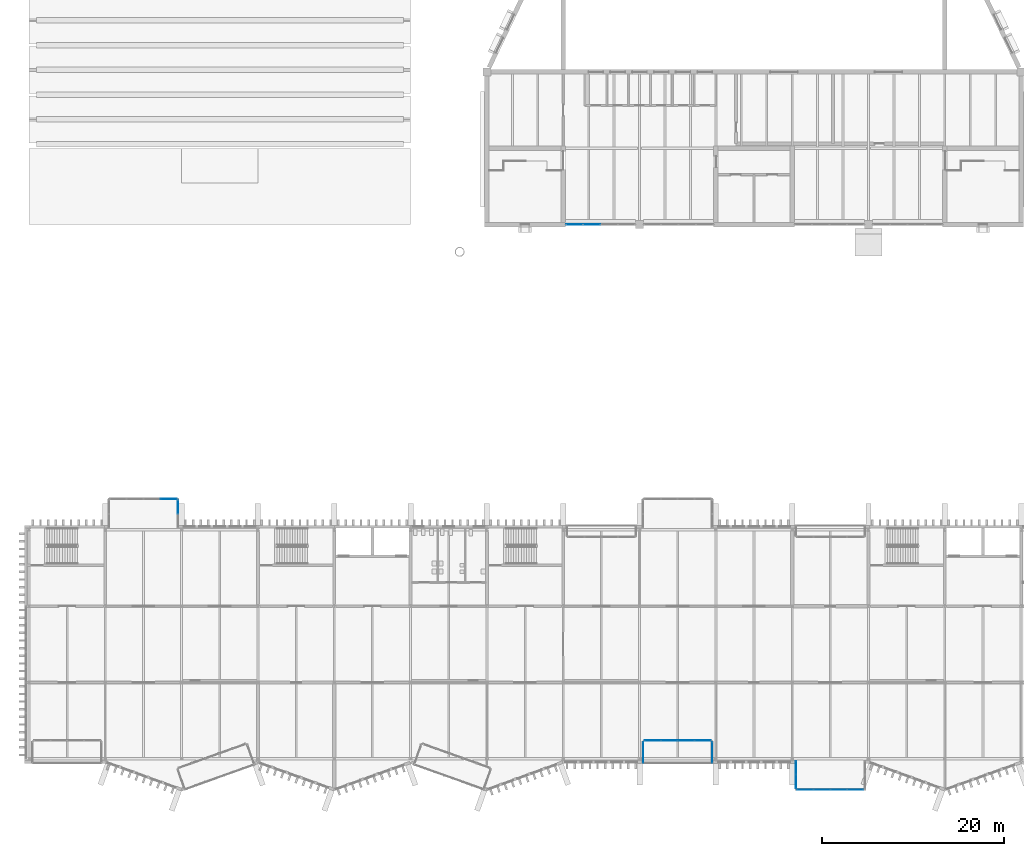
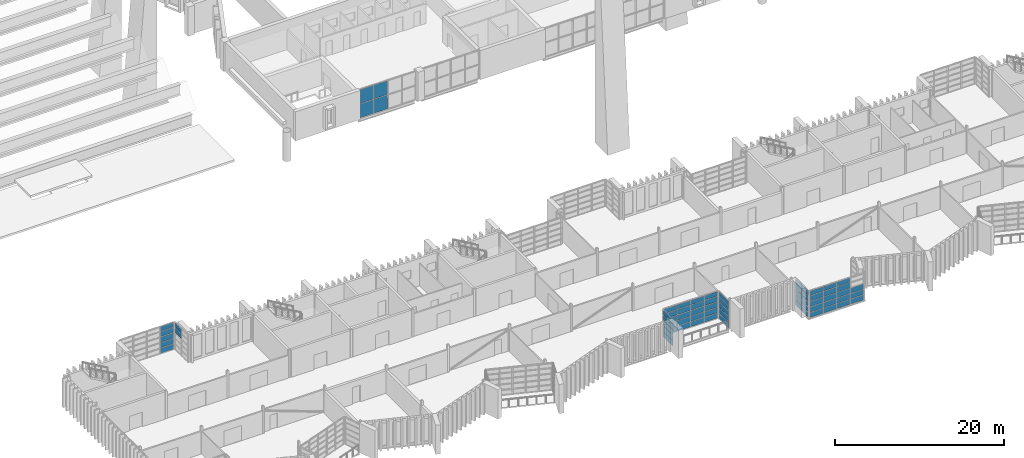
# One storey, part 44 of 88: 69 plates, 8 elements without a shape of their own.
"""IFC4 building model written with IfcOpenShell, lengths in metres."""

import ifcopenshell
import ifcopenshell.guid

model = None  # the IFC model being written
_history = None  # IfcOwnerHistory: only IFC2X3 demands one
_inside = {}  # id of a spatial element -> (the spatial element, [elements in it])
_under = {}  # id of a project, library or spatial element -> (it, [spatial elements below it])
_declared = {}  # id of a project -> (the project, [libraries it declares])
_typed = {}  # id of a type object -> (the type object, [elements of that type])
_made_of = {}  # id of a material, layer set ... -> (it, [elements and type objects made of it])


def new_model(schema):
    """Start an empty IFC model of exactly this schema.

    Asked for "IFC4X3", IfcOpenShell would pick the latest addendum, in which some entities
    have other attributes; the version numbers below select the first issue.
    IFC2X3 requires an IfcOwnerHistory on every rooted entity: one is made here for all.
    """
    global model, _history
    if schema == "IFC4X3":
        model = ifcopenshell.file(schema_version=(4, 3, 0, 0))
    else:
        model = ifcopenshell.file(schema=schema)
    _inside.clear()
    _under.clear()
    _declared.clear()
    _typed.clear()
    _made_of.clear()
    _history = None
    if model.schema == "IFC2X3":
        org = make("IfcOrganization", Name="unknown")
        user = make(
            "IfcPersonAndOrganization",
            ThePerson=make("IfcPerson", FamilyName="unknown"),
            TheOrganization=org,
        )
        app = make(
            "IfcApplication",
            ApplicationDeveloper=org,
            Version="unknown",
            ApplicationFullName="unknown",
            ApplicationIdentifier="unknown",
        )
        _history = make(
            "IfcOwnerHistory",
            OwningUser=user,
            OwningApplication=app,
            ChangeAction="ADDED",
            CreationDate=0,
        )
    return model


def make(cls, **values):
    """One entity of the class cls with the attributes given. An attribute that is None is left unset."""
    return model.create_entity(
        cls, **{name: value for name, value in values.items() if value is not None}
    )


def rooted(cls, **values):
    """An entity with a GlobalId (a new one), such as an element, a storey or a relation."""
    return make(cls, GlobalId=ifcopenshell.guid.new(), OwnerHistory=_history, **values)


def si_unit(unit_type, name, prefix=None):
    """IfcSIUnit, for example si_unit("LENGTHUNIT", "METRE", prefix="MILLI")."""
    return make("IfcSIUnit", UnitType=unit_type, Prefix=prefix, Name=name)


def assignment(units):
    """IfcUnitAssignment: the units of a project."""
    return None if units is None else make("IfcUnitAssignment", Units=units)


def point(xyz):
    """IfcCartesianPoint."""
    return None if xyz is None else make("IfcCartesianPoint", Coordinates=xyz)


def direction(xyz):
    """IfcDirection."""
    return None if xyz is None else make("IfcDirection", DirectionRatios=xyz)


def frame(location, z_axis=None, x_axis=None):
    """IfcAxis2Placement3D, a coordinate frame: its origin and axes. An axis left out is left unset."""
    return make(
        "IfcAxis2Placement3D",
        Location=point(location),
        Axis=direction(z_axis),
        RefDirection=direction(x_axis),
    )


def frame_2d(location, x_axis=None):
    """IfcAxis2Placement2D, a coordinate frame in the plane: its origin and x axis."""
    return make(
        "IfcAxis2Placement2D", Location=point(location), RefDirection=direction(x_axis)
    )


def origin():
    """The frame at (0, 0, 0) with its axes left unset."""
    return frame((0.0, 0.0, 0.0))


def origin_2d():
    """The frame at (0, 0) in the plane with its x axis left unset."""
    return frame_2d((0.0, 0.0))


def place(relative_to, where):
    """IfcLocalPlacement: puts the frame where relative to a parent placement (None: the world)."""
    return make(
        "IfcLocalPlacement", PlacementRelTo=relative_to, RelativePlacement=where
    )


def context(
    kind, dimensions, precision=None, world=None, true_north=None, identifier=None
):
    """IfcGeometricRepresentationContext, for example the 3D "Model" context."""
    return make(
        "IfcGeometricRepresentationContext",
        ContextIdentifier=identifier,
        ContextType=kind,
        CoordinateSpaceDimension=dimensions,
        Precision=precision,
        WorldCoordinateSystem=world,
        TrueNorth=true_north,
    )


def subcontext(parent, identifier, kind, view, scale=None):
    """IfcGeometricRepresentationSubContext, for example "Body" below "Model"."""
    return make(
        "IfcGeometricRepresentationSubContext",
        ContextIdentifier=identifier,
        ContextType=kind,
        ParentContext=parent,
        TargetScale=scale,
        TargetView=view,
    )


def project(units=None, contexts=None):
    """IfcProject with its units and contexts."""
    return rooted(
        "IfcProject",
        Name="project",
        RepresentationContexts=contexts,
        UnitsInContext=assignment(units),
    )


def spatial(cls, under=None, at=None, **own):
    """A site, building, storey or space (cls), placed at a placement, below another one or the project."""
    s = rooted(cls, ObjectPlacement=at, **own)
    if under is not None:
        _under.setdefault(under.id(), (under, []))[1].append(s)
    return s


def profile(cls, at=None, kind="AREA", **sizes):
    """A parametric profile (cls). Its sizes go by their IFC names, for example OverallWidth=200.0."""
    return make(cls, ProfileType=kind, Position=at, **sizes)


def rectangle(**sizes):
    """IfcRectangleProfileDef."""
    return profile("IfcRectangleProfileDef", **sizes)


def extrude(swept, where, along, depth):
    """IfcExtrudedAreaSolid: the profile swept, set in the frame where, extruded along a direction by depth."""
    return make(
        "IfcExtrudedAreaSolid",
        SweptArea=swept,
        Position=where,
        ExtrudedDirection=direction(along),
        Depth=depth,
    )


def shape(context_of_items, identifier, shape_type, items):
    """IfcShapeRepresentation: the items that make up one representation, for example the "Body"."""
    return make(
        "IfcShapeRepresentation",
        ContextOfItems=context_of_items,
        RepresentationIdentifier=identifier,
        RepresentationType=shape_type,
        Items=items,
    )


def material(Name=None, Category=None):
    """IfcMaterial."""
    return make("IfcMaterial", Name=Name, Category=Category)


def layer(
    of_material, thickness, ventilated=None, Name=None, Category=None, Priority=None
):
    """IfcMaterialLayer: one layer of a wall or slab, of a material (None: an air gap)."""
    return make(
        "IfcMaterialLayer",
        Material=of_material,
        LayerThickness=thickness,
        IsVentilated=ventilated,
        Name=Name,
        Category=Category,
        Priority=Priority,
    )


def layer_set(layers, Name=None):
    """IfcMaterialLayerSet."""
    return make("IfcMaterialLayerSet", MaterialLayers=layers, LayerSetName=Name)


def made_of(thing, what):
    """Note that an element or type object is made of a material, layer set ...; save() writes the relation."""
    if what is not None:
        _made_of.setdefault(what.id(), (what, []))[1].append(thing)
    return thing


def type_object(cls, material=None, **own):
    """A type object (cls), such as IfcWallType, which elements share."""
    return made_of(rooted(cls, **own), material)


def element(
    cls,
    number,
    at=None,
    inside=None,
    cuts=None,
    type_object=None,
    material=None,
    context=None,
    identifier="Body",
    shape_type=None,
    held_by="IfcProductDefinitionShape",
    body=None,
    shapes=None,
    **own,
):
    """One element of the class cls, such as IfcWall. Its Tag is "e" and its number.

    at: its placement. inside: the storey or other place that contains it. cuts: it is an
    opening in that element (IfcRelVoidsElement). A single representation is given by context,
    identifier, shape_type and body (its items); several are given by shapes. held_by: the class
    of the entity that holds the representations. save() writes the other relations.
    """
    e = rooted(cls, Tag="e%d" % number, ObjectPlacement=at, **own)
    if body is not None:
        shapes = [shape(context, identifier, shape_type, body)]
    if shapes is not None:
        e.Representation = make(held_by, Representations=shapes)
    if inside is not None:
        _inside.setdefault(inside.id(), (inside, []))[1].append(e)
    if cuts is not None:
        rooted(
            "IfcRelVoidsElement", RelatingBuildingElement=cuts, RelatedOpeningElement=e
        )
    if type_object is not None:
        _typed.setdefault(type_object.id(), (type_object, []))[1].append(e)
    return made_of(e, material)


def aggregate(whole, parts):
    """IfcRelAggregates: a whole, such as a stair, and the parts it consists of."""
    return rooted("IfcRelAggregates", RelatingObject=whole, RelatedObjects=parts)


def save(model, path):
    """Write the relations noted so far, then the file.

    IfcRelAggregates (storeys below a building ...), IfcRelContainedInSpatialStructure (elements
    in a storey), IfcRelDefinesByType, IfcRelAssociatesMaterial and IfcRelDeclares: one each for
    every whole, place, type object, material and project.
    """
    for whole, parts in _under.values():
        aggregate(whole, parts)
    for where, things in _inside.values():
        rooted(
            "IfcRelContainedInSpatialStructure",
            RelatedElements=things,
            RelatingStructure=where,
        )
    for kind, things in _typed.values():
        rooted("IfcRelDefinesByType", RelatedObjects=things, RelatingType=kind)
    for what, things in _made_of.values():
        rooted("IfcRelAssociatesMaterial", RelatedObjects=things, RelatingMaterial=what)
    for by, libraries in _declared.values():
        rooted("IfcRelDeclares", RelatingContext=by, RelatedDefinitions=libraries)
    model.write(path)


model = new_model("IFC4")

# Units and contexts
model_context = context("Model", 3, precision=1e-05, world=origin(), true_north=direction((0.0, 1.0)))
body_context = subcontext(model_context, "Body", "Model", "MODEL_VIEW")
ifc_project = project(units=[si_unit("LENGTHUNIT", "METRE"), si_unit("AREAUNIT", "SQUARE_METRE"), si_unit("VOLUMEUNIT", "CUBIC_METRE"), si_unit("PLANEANGLEUNIT", "RADIAN"), si_unit("MASSUNIT", "GRAM", prefix="KILO")], contexts=[model_context])

# Site, building, storey
site_placement = place(None, origin())
site = spatial("IfcSite", under=ifc_project, at=site_placement, CompositionType="ELEMENT")
building_placement = place(site_placement, origin())
building = spatial("IfcBuilding", under=site, at=building_placement, Name="Cresset Court Congress Hotel", CompositionType="ELEMENT")
storey_placement = place(building_placement, frame((0.0, 0.0, 14.39990234375)))
storey = spatial("IfcBuildingStorey", under=building, at=storey_placement, Name="L03", CompositionType="ELEMENT", Elevation=14.39990234375)

# Curtain wall, plates
ifc_material_1 = material(Name="Aluminium frame with double glazing", Category="aluminium")
ifc_layer_1 = layer(ifc_material_1, 0.199951171875)
ifc_layer_set_1 = layer_set([ifc_layer_1], Name="Glazed box curtain wall 1680 module")
curtain_wall_type_1 = type_object("IfcCurtainWallType", Name="Glazed box curtain wall 1680 module", PredefinedType="NOTDEFINED", material=ifc_layer_set_1)
curtain_wall_1_placement = place(storey_placement, origin())
curtain_wall_1 = element("IfcCurtainWall", 1, at=curtain_wall_1_placement, inside=storey, type_object=curtain_wall_type_1, Name="Glazed box S0311 front", PredefinedType="NOTDEFINED")
ifc_material_2 = material(Name="Toughened double glazing", Category="glass")
ifc_layer_2 = layer(ifc_material_2, 0.028076171875)
ifc_layer_set_2 = layer_set([ifc_layer_2], Name="Box glass panel 28")
plate_type_1 = type_object("IfcPlateType", Name="Box glass panel 28", PredefinedType="CURTAIN_PANEL", material=ifc_layer_set_2)
plate_1_placement = place(storey_placement, frame((77.0400390625, 2.0, 0.06005859375), z_axis=(0.0, 0.0, 1.0), x_axis=(1.0, 0.0, 0.0)))
plate_1 = element("IfcPlate", 2, at=plate_1_placement, type_object=plate_type_1, Name="B-X1 panel 1.1", PredefinedType="CURTAIN_PANEL", context=body_context, shape_type="SweptSolid", body=[
    extrude(rectangle(XDim=1.760009765625, YDim=0.028076171875, at=origin_2d()), origin(), (0.0, 0.0, 1.0), 0.715087890625),
])
plate_2_placement = place(storey_placement, frame((77.0400390625, 2.0, 0.8349609375), z_axis=(0.0, 0.0, 1.0), x_axis=(1.0, 0.0, 0.0)))
plate_2 = element("IfcPlate", 3, at=plate_2_placement, type_object=plate_type_1, Name="B-X1 panel 1.2", PredefinedType="CURTAIN_PANEL", context=body_context, shape_type="SweptSolid", body=[
    extrude(rectangle(XDim=1.760009765625, YDim=0.028076171875, at=origin_2d()), origin(), (0.0, 0.0, 1.0), 0.7451171875),
])
plate_3_placement = place(storey_placement, frame((77.0400390625, 2.0, 1.64013671875), z_axis=(0.0, 0.0, 1.0), x_axis=(1.0, 0.0, 0.0)))
plate_3 = element("IfcPlate", 4, at=plate_3_placement, type_object=plate_type_1, Name="B-X1 panel 1.3", PredefinedType="CURTAIN_PANEL", context=body_context, shape_type="SweptSolid", body=[
    extrude(rectangle(XDim=1.760009765625, YDim=0.028076171875, at=origin_2d()), origin(), (0.0, 0.0, 1.0), 0.7451171875),
])
plate_4_placement = place(storey_placement, frame((77.0400390625, 2.0, 2.445068359375), z_axis=(0.0, 0.0, 1.0), x_axis=(1.0, 0.0, 0.0)))
plate_4 = element("IfcPlate", 5, at=plate_4_placement, type_object=plate_type_1, Name="B-X1 panel 1.4", PredefinedType="CURTAIN_PANEL", context=body_context, shape_type="SweptSolid", body=[
    extrude(rectangle(XDim=1.760009765625, YDim=0.028076171875, at=origin_2d()), origin(), (0.0, 0.0, 1.0), 0.7451171875),
])
plate_5_placement = place(storey_placement, frame((78.875, 2.0, 0.06005859375), z_axis=(0.0, 0.0, 1.0), x_axis=(1.0, 0.0, 0.0)))
plate_5 = element("IfcPlate", 6, at=plate_5_placement, type_object=plate_type_1, Name="B-X1 panel 2.1", PredefinedType="CURTAIN_PANEL", context=body_context, shape_type="SweptSolid", body=[
    extrude(rectangle(XDim=1.7900390625, YDim=0.028076171875, at=origin_2d()), origin(), (0.0, 0.0, 1.0), 0.715087890625),
])
plate_6_placement = place(storey_placement, frame((78.875, 2.0, 0.8349609375), z_axis=(0.0, 0.0, 1.0), x_axis=(1.0, 0.0, 0.0)))
plate_6 = element("IfcPlate", 7, at=plate_6_placement, type_object=plate_type_1, Name="B-X1 panel 2.2", PredefinedType="CURTAIN_PANEL", context=body_context, shape_type="SweptSolid", body=[
    extrude(rectangle(XDim=1.7900390625, YDim=0.028076171875, at=origin_2d()), origin(), (0.0, 0.0, 1.0), 0.7451171875),
])
plate_7_placement = place(storey_placement, frame((78.875, 2.0, 1.64013671875), z_axis=(0.0, 0.0, 1.0), x_axis=(1.0, 0.0, 0.0)))
plate_7 = element("IfcPlate", 8, at=plate_7_placement, type_object=plate_type_1, Name="B-X1 panel 2.3", PredefinedType="CURTAIN_PANEL", context=body_context, shape_type="SweptSolid", body=[
    extrude(rectangle(XDim=1.7900390625, YDim=0.028076171875, at=origin_2d()), origin(), (0.0, 0.0, 1.0), 0.7451171875),
])
plate_8_placement = place(storey_placement, frame((78.875, 2.0, 2.445068359375), z_axis=(0.0, 0.0, 1.0), x_axis=(1.0, 0.0, 0.0)))
plate_8 = element("IfcPlate", 9, at=plate_8_placement, type_object=plate_type_1, Name="B-X1 panel 2.4", PredefinedType="CURTAIN_PANEL", context=body_context, shape_type="SweptSolid", body=[
    extrude(rectangle(XDim=1.7900390625, YDim=0.028076171875, at=origin_2d()), origin(), (0.0, 0.0, 1.0), 0.7451171875),
])
plate_9_placement = place(storey_placement, frame((80.72509765625, 2.0, 0.06005859375), z_axis=(0.0, 0.0, 1.0), x_axis=(1.0, 0.0, 0.0)))
plate_9 = element("IfcPlate", 10, at=plate_9_placement, type_object=plate_type_1, Name="B-X1 panel 3.1", PredefinedType="CURTAIN_PANEL", context=body_context, shape_type="SweptSolid", body=[
    extrude(rectangle(XDim=1.7900390625, YDim=0.028076171875, at=origin_2d()), origin(), (0.0, 0.0, 1.0), 0.715087890625),
])
plate_10_placement = place(storey_placement, frame((80.72509765625, 2.0, 0.8349609375), z_axis=(0.0, 0.0, 1.0), x_axis=(1.0, 0.0, 0.0)))
plate_10 = element("IfcPlate", 11, at=plate_10_placement, type_object=plate_type_1, Name="B-X1 panel 3.2", PredefinedType="CURTAIN_PANEL", context=body_context, shape_type="SweptSolid", body=[
    extrude(rectangle(XDim=1.7900390625, YDim=0.028076171875, at=origin_2d()), origin(), (0.0, 0.0, 1.0), 0.7451171875),
])
plate_11_placement = place(storey_placement, frame((80.72509765625, 2.0, 1.64013671875), z_axis=(0.0, 0.0, 1.0), x_axis=(1.0, 0.0, 0.0)))
plate_11 = element("IfcPlate", 12, at=plate_11_placement, type_object=plate_type_1, Name="B-X1 panel 3.3", PredefinedType="CURTAIN_PANEL", context=body_context, shape_type="SweptSolid", body=[
    extrude(rectangle(XDim=1.7900390625, YDim=0.028076171875, at=origin_2d()), origin(), (0.0, 0.0, 1.0), 0.7451171875),
])
plate_12_placement = place(storey_placement, frame((80.72509765625, 2.0, 2.445068359375), z_axis=(0.0, 0.0, 1.0), x_axis=(1.0, 0.0, 0.0)))
plate_12 = element("IfcPlate", 13, at=plate_12_placement, type_object=plate_type_1, Name="B-X1 panel 3.4", PredefinedType="CURTAIN_PANEL", context=body_context, shape_type="SweptSolid", body=[
    extrude(rectangle(XDim=1.7900390625, YDim=0.028076171875, at=origin_2d()), origin(), (0.0, 0.0, 1.0), 0.7451171875),
])
plate_13_placement = place(storey_placement, frame((82.56005859375, 2.0, 0.06005859375), z_axis=(0.0, 0.0, 1.0), x_axis=(1.0, 0.0, 0.0)))
plate_13 = element("IfcPlate", 14, at=plate_13_placement, type_object=plate_type_1, Name="B-X1 panel 4.1", PredefinedType="CURTAIN_PANEL", context=body_context, shape_type="SweptSolid", body=[
    extrude(rectangle(XDim=1.760009765625, YDim=0.028076171875, at=origin_2d()), origin(), (0.0, 0.0, 1.0), 0.715087890625),
])
plate_14_placement = place(storey_placement, frame((82.56005859375, 2.0, 0.8349609375), z_axis=(0.0, 0.0, 1.0), x_axis=(1.0, 0.0, 0.0)))
plate_14 = element("IfcPlate", 15, at=plate_14_placement, type_object=plate_type_1, Name="B-X1 panel 4.2", PredefinedType="CURTAIN_PANEL", context=body_context, shape_type="SweptSolid", body=[
    extrude(rectangle(XDim=1.760009765625, YDim=0.028076171875, at=origin_2d()), origin(), (0.0, 0.0, 1.0), 0.7451171875),
])
plate_15_placement = place(storey_placement, frame((82.56005859375, 2.0, 1.64013671875), z_axis=(0.0, 0.0, 1.0), x_axis=(1.0, 0.0, 0.0)))
plate_15 = element("IfcPlate", 16, at=plate_15_placement, type_object=plate_type_1, Name="B-X1 panel 4.3", PredefinedType="CURTAIN_PANEL", context=body_context, shape_type="SweptSolid", body=[
    extrude(rectangle(XDim=1.760009765625, YDim=0.028076171875, at=origin_2d()), origin(), (0.0, 0.0, 1.0), 0.7451171875),
])
plate_16_placement = place(storey_placement, frame((82.56005859375, 2.0, 2.445068359375), z_axis=(0.0, 0.0, 1.0), x_axis=(1.0, 0.0, 0.0)))
plate_16 = element("IfcPlate", 17, at=plate_16_placement, type_object=plate_type_1, Name="B-X1 panel 4.4", PredefinedType="CURTAIN_PANEL", context=body_context, shape_type="SweptSolid", body=[
    extrude(rectangle(XDim=1.760009765625, YDim=0.028076171875, at=origin_2d()), origin(), (0.0, 0.0, 1.0), 0.7451171875),
])

curtain_wall_2_placement = place(storey_placement, origin())
curtain_wall_2 = element("IfcCurtainWall", 18, at=curtain_wall_2_placement, inside=storey, type_object=curtain_wall_type_1, Name="Glazed box S0311 side", PredefinedType="NOTDEFINED")
plate_17_placement = place(storey_placement, frame((76.0, 0.699951171875, 0.06005859375), z_axis=(0.0, 0.0, 1.0), x_axis=(0.0, 1.0, 0.0)))
plate_17 = element("IfcPlate", 19, at=plate_17_placement, type_object=plate_type_1, Name="B-X1 panel 1.1", PredefinedType="CURTAIN_PANEL", context=body_context, shape_type="SweptSolid", body=[
    extrude(rectangle(XDim=2.280029296875, YDim=0.028076171875, at=origin_2d()), origin(), (0.0, 0.0, 1.0), 0.715087890625),
])
plate_18_placement = place(storey_placement, frame((76.0, 0.699951171875, 0.8349609375), z_axis=(0.0, 0.0, 1.0), x_axis=(0.0, 1.0, 0.0)))
plate_18 = element("IfcPlate", 20, at=plate_18_placement, type_object=plate_type_1, Name="B-X1 panel 1.2", PredefinedType="CURTAIN_PANEL", context=body_context, shape_type="SweptSolid", body=[
    extrude(rectangle(XDim=2.280029296875, YDim=0.028076171875, at=origin_2d()), origin(), (0.0, 0.0, 1.0), 0.7451171875),
])
plate_19_placement = place(storey_placement, frame((76.0, 0.699951171875, 1.64013671875), z_axis=(0.0, 0.0, 1.0), x_axis=(0.0, 1.0, 0.0)))
plate_19 = element("IfcPlate", 21, at=plate_19_placement, type_object=plate_type_1, Name="B-X1 panel 1.3", PredefinedType="CURTAIN_PANEL", context=body_context, shape_type="SweptSolid", body=[
    extrude(rectangle(XDim=2.280029296875, YDim=0.028076171875, at=origin_2d()), origin(), (0.0, 0.0, 1.0), 0.7451171875),
])
plate_20_placement = place(storey_placement, frame((76.0, 0.699951171875, 2.445068359375), z_axis=(0.0, 0.0, 1.0), x_axis=(0.0, 1.0, 0.0)))
plate_20 = element("IfcPlate", 22, at=plate_20_placement, type_object=plate_type_1, Name="B-X1 panel 1.4", PredefinedType="CURTAIN_PANEL", context=body_context, shape_type="SweptSolid", body=[
    extrude(rectangle(XDim=2.280029296875, YDim=0.028076171875, at=origin_2d()), origin(), (0.0, 0.0, 1.0), 0.7451171875),
])

curtain_wall_3_placement = place(storey_placement, origin())
curtain_wall_3 = element("IfcCurtainWall", 23, at=curtain_wall_3_placement, inside=storey, type_object=curtain_wall_type_1, Name="Glazed box S0311 side", PredefinedType="NOTDEFINED")
plate_21_placement = place(storey_placement, frame((83.60009765625, 0.699951171875, 0.06005859375), z_axis=(0.0, 0.0, 1.0), x_axis=(0.0, 1.0, 0.0)))
plate_21 = element("IfcPlate", 24, at=plate_21_placement, type_object=plate_type_1, Name="B-X1 panel 1.1", PredefinedType="CURTAIN_PANEL", context=body_context, shape_type="SweptSolid", body=[
    extrude(rectangle(XDim=2.280029296875, YDim=0.028076171875, at=origin_2d()), origin(), (0.0, 0.0, 1.0), 0.715087890625),
])
plate_22_placement = place(storey_placement, frame((83.60009765625, 0.699951171875, 0.8349609375), z_axis=(0.0, 0.0, 1.0), x_axis=(0.0, 1.0, 0.0)))
plate_22 = element("IfcPlate", 25, at=plate_22_placement, type_object=plate_type_1, Name="B-X1 panel 1.2", PredefinedType="CURTAIN_PANEL", context=body_context, shape_type="SweptSolid", body=[
    extrude(rectangle(XDim=2.280029296875, YDim=0.028076171875, at=origin_2d()), origin(), (0.0, 0.0, 1.0), 0.7451171875),
])
plate_23_placement = place(storey_placement, frame((83.60009765625, 0.699951171875, 1.64013671875), z_axis=(0.0, 0.0, 1.0), x_axis=(0.0, 1.0, 0.0)))
plate_23 = element("IfcPlate", 26, at=plate_23_placement, type_object=plate_type_1, Name="B-X1 panel 1.3", PredefinedType="CURTAIN_PANEL", context=body_context, shape_type="SweptSolid", body=[
    extrude(rectangle(XDim=2.280029296875, YDim=0.028076171875, at=origin_2d()), origin(), (0.0, 0.0, 1.0), 0.7451171875),
])
plate_24_placement = place(storey_placement, frame((83.60009765625, 0.699951171875, 2.445068359375), z_axis=(0.0, 0.0, 1.0), x_axis=(0.0, 1.0, 0.0)))
plate_24 = element("IfcPlate", 27, at=plate_24_placement, type_object=plate_type_1, Name="B-X1 panel 1.4", PredefinedType="CURTAIN_PANEL", context=body_context, shape_type="SweptSolid", body=[
    extrude(rectangle(XDim=2.280029296875, YDim=0.028076171875, at=origin_2d()), origin(), (0.0, 0.0, 1.0), 0.7451171875),
])

curtain_wall_4_placement = place(storey_placement, origin())
curtain_wall_4 = element("IfcCurtainWall", 28, at=curtain_wall_4_placement, inside=storey, type_object=curtain_wall_type_1, Name="Glazed box S0314 front", PredefinedType="NOTDEFINED")
plate_25_placement = place(storey_placement, frame((93.840087890625, -3.39990234375, 0.06005859375), z_axis=(0.0, 0.0, 1.0), x_axis=(1.0, 0.0, 0.0)))
plate_25 = element("IfcPlate", 29, at=plate_25_placement, type_object=plate_type_1, Name="B-X1 panel 1.1", PredefinedType="CURTAIN_PANEL", context=body_context, shape_type="SweptSolid", body=[
    extrude(rectangle(XDim=1.760009765625, YDim=0.028076171875, at=origin_2d()), origin(), (0.0, 0.0, 1.0), 0.715087890625),
])
plate_26_placement = place(storey_placement, frame((93.840087890625, -3.39990234375, 0.8349609375), z_axis=(0.0, 0.0, 1.0), x_axis=(1.0, 0.0, 0.0)))
plate_26 = element("IfcPlate", 30, at=plate_26_placement, type_object=plate_type_1, Name="B-X1 panel 1.2", PredefinedType="CURTAIN_PANEL", context=body_context, shape_type="SweptSolid", body=[
    extrude(rectangle(XDim=1.760009765625, YDim=0.028076171875, at=origin_2d()), origin(), (0.0, 0.0, 1.0), 0.7451171875),
])
plate_27_placement = place(storey_placement, frame((93.840087890625, -3.39990234375, 1.64013671875), z_axis=(0.0, 0.0, 1.0), x_axis=(1.0, 0.0, 0.0)))
plate_27 = element("IfcPlate", 31, at=plate_27_placement, type_object=plate_type_1, Name="B-X1 panel 1.3", PredefinedType="CURTAIN_PANEL", context=body_context, shape_type="SweptSolid", body=[
    extrude(rectangle(XDim=1.760009765625, YDim=0.028076171875, at=origin_2d()), origin(), (0.0, 0.0, 1.0), 0.7451171875),
])
plate_28_placement = place(storey_placement, frame((93.840087890625, -3.39990234375, 2.445068359375), z_axis=(0.0, 0.0, 1.0), x_axis=(1.0, 0.0, 0.0)))
plate_28 = element("IfcPlate", 32, at=plate_28_placement, type_object=plate_type_1, Name="B-X1 panel 1.4", PredefinedType="CURTAIN_PANEL", context=body_context, shape_type="SweptSolid", body=[
    extrude(rectangle(XDim=1.760009765625, YDim=0.028076171875, at=origin_2d()), origin(), (0.0, 0.0, 1.0), 0.7451171875),
])
plate_29_placement = place(storey_placement, frame((95.675048828125, -3.39990234375, 0.06005859375), z_axis=(0.0, 0.0, 1.0), x_axis=(1.0, 0.0, 0.0)))
plate_29 = element("IfcPlate", 33, at=plate_29_placement, type_object=plate_type_1, Name="B-X1 panel 2.1", PredefinedType="CURTAIN_PANEL", context=body_context, shape_type="SweptSolid", body=[
    extrude(rectangle(XDim=1.7900390625, YDim=0.028076171875, at=origin_2d()), origin(), (0.0, 0.0, 1.0), 0.715087890625),
])
plate_30_placement = place(storey_placement, frame((95.675048828125, -3.39990234375, 0.8349609375), z_axis=(0.0, 0.0, 1.0), x_axis=(1.0, 0.0, 0.0)))
plate_30 = element("IfcPlate", 34, at=plate_30_placement, type_object=plate_type_1, Name="B-X1 panel 2.2", PredefinedType="CURTAIN_PANEL", context=body_context, shape_type="SweptSolid", body=[
    extrude(rectangle(XDim=1.7900390625, YDim=0.028076171875, at=origin_2d()), origin(), (0.0, 0.0, 1.0), 0.7451171875),
])
plate_31_placement = place(storey_placement, frame((95.675048828125, -3.39990234375, 1.64013671875), z_axis=(0.0, 0.0, 1.0), x_axis=(1.0, 0.0, 0.0)))
plate_31 = element("IfcPlate", 35, at=plate_31_placement, type_object=plate_type_1, Name="B-X1 panel 2.3", PredefinedType="CURTAIN_PANEL", context=body_context, shape_type="SweptSolid", body=[
    extrude(rectangle(XDim=1.7900390625, YDim=0.028076171875, at=origin_2d()), origin(), (0.0, 0.0, 1.0), 0.7451171875),
])
plate_32_placement = place(storey_placement, frame((95.675048828125, -3.39990234375, 2.445068359375), z_axis=(0.0, 0.0, 1.0), x_axis=(1.0, 0.0, 0.0)))
plate_32 = element("IfcPlate", 36, at=plate_32_placement, type_object=plate_type_1, Name="B-X1 panel 2.4", PredefinedType="CURTAIN_PANEL", context=body_context, shape_type="SweptSolid", body=[
    extrude(rectangle(XDim=1.7900390625, YDim=0.028076171875, at=origin_2d()), origin(), (0.0, 0.0, 1.0), 0.7451171875),
])
plate_33_placement = place(storey_placement, frame((97.52490234375, -3.39990234375, 0.06005859375), z_axis=(0.0, 0.0, 1.0), x_axis=(1.0, 0.0, 0.0)))
plate_33 = element("IfcPlate", 37, at=plate_33_placement, type_object=plate_type_1, Name="B-X1 panel 3.1", PredefinedType="CURTAIN_PANEL", context=body_context, shape_type="SweptSolid", body=[
    extrude(rectangle(XDim=1.7900390625, YDim=0.028076171875, at=origin_2d()), origin(), (0.0, 0.0, 1.0), 0.715087890625),
])
plate_34_placement = place(storey_placement, frame((97.52490234375, -3.39990234375, 0.8349609375), z_axis=(0.0, 0.0, 1.0), x_axis=(1.0, 0.0, 0.0)))
plate_34 = element("IfcPlate", 38, at=plate_34_placement, type_object=plate_type_1, Name="B-X1 panel 3.2", PredefinedType="CURTAIN_PANEL", context=body_context, shape_type="SweptSolid", body=[
    extrude(rectangle(XDim=1.7900390625, YDim=0.028076171875, at=origin_2d()), origin(), (0.0, 0.0, 1.0), 0.7451171875),
])
plate_35_placement = place(storey_placement, frame((97.52490234375, -3.39990234375, 1.64013671875), z_axis=(0.0, 0.0, 1.0), x_axis=(1.0, 0.0, 0.0)))
plate_35 = element("IfcPlate", 39, at=plate_35_placement, type_object=plate_type_1, Name="B-X1 panel 3.3", PredefinedType="CURTAIN_PANEL", context=body_context, shape_type="SweptSolid", body=[
    extrude(rectangle(XDim=1.7900390625, YDim=0.028076171875, at=origin_2d()), origin(), (0.0, 0.0, 1.0), 0.7451171875),
])
plate_36_placement = place(storey_placement, frame((97.52490234375, -3.39990234375, 2.445068359375), z_axis=(0.0, 0.0, 1.0), x_axis=(1.0, 0.0, 0.0)))
plate_36 = element("IfcPlate", 40, at=plate_36_placement, type_object=plate_type_1, Name="B-X1 panel 3.4", PredefinedType="CURTAIN_PANEL", context=body_context, shape_type="SweptSolid", body=[
    extrude(rectangle(XDim=1.7900390625, YDim=0.028076171875, at=origin_2d()), origin(), (0.0, 0.0, 1.0), 0.7451171875),
])
plate_37_placement = place(storey_placement, frame((99.360107421875, -3.39990234375, 0.06005859375), z_axis=(0.0, 0.0, 1.0), x_axis=(1.0, 0.0, 0.0)))
plate_37 = element("IfcPlate", 41, at=plate_37_placement, type_object=plate_type_1, Name="B-X1 panel 4.1", PredefinedType="CURTAIN_PANEL", context=body_context, shape_type="SweptSolid", body=[
    extrude(rectangle(XDim=1.760009765625, YDim=0.028076171875, at=origin_2d()), origin(), (0.0, 0.0, 1.0), 0.715087890625),
])
plate_38_placement = place(storey_placement, frame((99.360107421875, -3.39990234375, 0.8349609375), z_axis=(0.0, 0.0, 1.0), x_axis=(1.0, 0.0, 0.0)))
plate_38 = element("IfcPlate", 42, at=plate_38_placement, type_object=plate_type_1, Name="B-X1 panel 4.2", PredefinedType="CURTAIN_PANEL", context=body_context, shape_type="SweptSolid", body=[
    extrude(rectangle(XDim=1.760009765625, YDim=0.028076171875, at=origin_2d()), origin(), (0.0, 0.0, 1.0), 0.7451171875),
])
plate_39_placement = place(storey_placement, frame((99.360107421875, -3.39990234375, 1.64013671875), z_axis=(0.0, 0.0, 1.0), x_axis=(1.0, 0.0, 0.0)))
plate_39 = element("IfcPlate", 43, at=plate_39_placement, type_object=plate_type_1, Name="B-X1 panel 4.3", PredefinedType="CURTAIN_PANEL", context=body_context, shape_type="SweptSolid", body=[
    extrude(rectangle(XDim=1.760009765625, YDim=0.028076171875, at=origin_2d()), origin(), (0.0, 0.0, 1.0), 0.7451171875),
])

curtain_wall_5_placement = place(storey_placement, origin())
curtain_wall_5 = element("IfcCurtainWall", 44, at=curtain_wall_5_placement, inside=storey, type_object=curtain_wall_type_1, Name="Glazed box S0314 side", PredefinedType="NOTDEFINED")
plate_40_placement = place(storey_placement, frame((92.800048828125, -0.989990234375, 0.06005859375), z_axis=(0.0, 0.0, 1.0), x_axis=(0.0, -1.0, 0.0)))
plate_40 = element("IfcPlate", 45, at=plate_40_placement, type_object=plate_type_1, Name="B-X1 panel 1.1", PredefinedType="CURTAIN_PANEL", context=body_context, shape_type="SweptSolid", body=[
    extrude(rectangle(XDim=1.4599609375, YDim=0.028076171875, at=origin_2d()), origin(), (0.0, 0.0, 1.0), 0.715087890625),
])
plate_41_placement = place(storey_placement, frame((92.800048828125, -0.989990234375, 0.8349609375), z_axis=(0.0, 0.0, 1.0), x_axis=(0.0, -1.0, 0.0)))
plate_41 = element("IfcPlate", 46, at=plate_41_placement, type_object=plate_type_1, Name="B-X1 panel 1.2", PredefinedType="CURTAIN_PANEL", context=body_context, shape_type="SweptSolid", body=[
    extrude(rectangle(XDim=1.4599609375, YDim=0.028076171875, at=origin_2d()), origin(), (0.0, 0.0, 1.0), 0.7451171875),
])
plate_42_placement = place(storey_placement, frame((92.800048828125, -0.989990234375, 1.64013671875), z_axis=(0.0, 0.0, 1.0), x_axis=(0.0, -1.0, 0.0)))
plate_42 = element("IfcPlate", 47, at=plate_42_placement, type_object=plate_type_1, Name="B-X1 panel 1.3", PredefinedType="CURTAIN_PANEL", context=body_context, shape_type="SweptSolid", body=[
    extrude(rectangle(XDim=1.4599609375, YDim=0.028076171875, at=origin_2d()), origin(), (0.0, 0.0, 1.0), 0.7451171875),
])
plate_43_placement = place(storey_placement, frame((92.800048828125, -0.989990234375, 2.445068359375), z_axis=(0.0, 0.0, 1.0), x_axis=(0.0, -1.0, 0.0)))
plate_43 = element("IfcPlate", 48, at=plate_43_placement, type_object=plate_type_1, Name="B-X1 panel 1.4", PredefinedType="CURTAIN_PANEL", context=body_context, shape_type="SweptSolid", body=[
    extrude(rectangle(XDim=1.4599609375, YDim=0.028076171875, at=origin_2d()), origin(), (0.0, 0.0, 1.0), 0.7451171875),
])
plate_44_placement = place(storey_placement, frame((92.800048828125, -2.510009765625, 0.06005859375), z_axis=(0.0, 0.0, 1.0), x_axis=(0.0, -1.0, 0.0)))
plate_44 = element("IfcPlate", 49, at=plate_44_placement, type_object=plate_type_1, Name="B-X1 panel 2.1", PredefinedType="CURTAIN_PANEL", context=body_context, shape_type="SweptSolid", body=[
    extrude(rectangle(XDim=1.4599609375, YDim=0.028076171875, at=origin_2d()), origin(), (0.0, 0.0, 1.0), 0.715087890625),
])
plate_45_placement = place(storey_placement, frame((92.800048828125, -2.510009765625, 0.8349609375), z_axis=(0.0, 0.0, 1.0), x_axis=(0.0, -1.0, 0.0)))
plate_45 = element("IfcPlate", 50, at=plate_45_placement, type_object=plate_type_1, Name="B-X1 panel 2.2", PredefinedType="CURTAIN_PANEL", context=body_context, shape_type="SweptSolid", body=[
    extrude(rectangle(XDim=1.4599609375, YDim=0.028076171875, at=origin_2d()), origin(), (0.0, 0.0, 1.0), 0.7451171875),
])
plate_46_placement = place(storey_placement, frame((92.800048828125, -2.510009765625, 1.64013671875), z_axis=(0.0, 0.0, 1.0), x_axis=(0.0, -1.0, 0.0)))
plate_46 = element("IfcPlate", 51, at=plate_46_placement, type_object=plate_type_1, Name="B-X1 panel 2.3", PredefinedType="CURTAIN_PANEL", context=body_context, shape_type="SweptSolid", body=[
    extrude(rectangle(XDim=1.4599609375, YDim=0.028076171875, at=origin_2d()), origin(), (0.0, 0.0, 1.0), 0.7451171875),
])
plate_47_placement = place(storey_placement, frame((92.800048828125, -2.510009765625, 2.445068359375), z_axis=(0.0, 0.0, 1.0), x_axis=(0.0, -1.0, 0.0)))
plate_47 = element("IfcPlate", 52, at=plate_47_placement, type_object=plate_type_1, Name="B-X1 panel 2.4", PredefinedType="CURTAIN_PANEL", context=body_context, shape_type="SweptSolid", body=[
    extrude(rectangle(XDim=1.4599609375, YDim=0.028076171875, at=origin_2d()), origin(), (0.0, 0.0, 1.0), 0.7451171875),
])

curtain_wall_6_placement = place(storey_placement, origin())
curtain_wall_6 = element("IfcCurtainWall", 53, at=curtain_wall_6_placement, inside=storey, type_object=curtain_wall_type_1, Name="Glazed box N0325 front", PredefinedType="NOTDEFINED")
plate_48_placement = place(storey_placement, frame((23.760009765625, 28.60009765625, 0.06005859375), z_axis=(0.0, 0.0, 1.0), x_axis=(1.0, 0.0, 0.0)))
plate_48 = element("IfcPlate", 54, at=plate_48_placement, type_object=plate_type_1, Name="B-X1 panel 4.1", PredefinedType="CURTAIN_PANEL", context=body_context, shape_type="SweptSolid", body=[
    extrude(rectangle(XDim=1.760009765625, YDim=0.028076171875, at=origin_2d()), origin(), (0.0, 0.0, 1.0), 0.715087890625),
])
plate_49_placement = place(storey_placement, frame((23.760009765625, 28.60009765625, 0.8349609375), z_axis=(0.0, 0.0, 1.0), x_axis=(1.0, 0.0, 0.0)))
plate_49 = element("IfcPlate", 55, at=plate_49_placement, type_object=plate_type_1, Name="B-X1 panel 4.2", PredefinedType="CURTAIN_PANEL", context=body_context, shape_type="SweptSolid", body=[
    extrude(rectangle(XDim=1.760009765625, YDim=0.028076171875, at=origin_2d()), origin(), (0.0, 0.0, 1.0), 0.7451171875),
])
plate_50_placement = place(storey_placement, frame((23.760009765625, 28.60009765625, 1.64013671875), z_axis=(0.0, 0.0, 1.0), x_axis=(1.0, 0.0, 0.0)))
plate_50 = element("IfcPlate", 56, at=plate_50_placement, type_object=plate_type_1, Name="B-X1 panel 4.3", PredefinedType="CURTAIN_PANEL", context=body_context, shape_type="SweptSolid", body=[
    extrude(rectangle(XDim=1.760009765625, YDim=0.028076171875, at=origin_2d()), origin(), (0.0, 0.0, 1.0), 0.7451171875),
])
plate_51_placement = place(storey_placement, frame((23.760009765625, 28.60009765625, 2.445068359375), z_axis=(0.0, 0.0, 1.0), x_axis=(1.0, 0.0, 0.0)))
plate_51 = element("IfcPlate", 57, at=plate_51_placement, type_object=plate_type_1, Name="B-X1 panel 4.4", PredefinedType="CURTAIN_PANEL", context=body_context, shape_type="SweptSolid", body=[
    extrude(rectangle(XDim=1.760009765625, YDim=0.028076171875, at=origin_2d()), origin(), (0.0, 0.0, 1.0), 0.7451171875),
])

# Curtain wall, plate
curtain_wall_7_placement = place(storey_placement, origin())
curtain_wall_7 = element("IfcCurtainWall", 58, at=curtain_wall_7_placement, inside=storey, type_object=curtain_wall_type_1, Name="Glazed box N0325 side", PredefinedType="NOTDEFINED")
plate_52_placement = place(storey_placement, frame((24.800048828125, 27.7099609375, 2.445068359375), z_axis=(0.0, 0.0, 1.0), x_axis=(0.0, 1.0, 0.0)))
plate_52 = element("IfcPlate", 59, at=plate_52_placement, type_object=plate_type_1, Name="B-X1 panel 2.4", PredefinedType="CURTAIN_PANEL", context=body_context, shape_type="SweptSolid", body=[
    extrude(rectangle(XDim=1.4599609375, YDim=0.028076171875, at=origin_2d()), origin(), (0.0, 0.0, 1.0), 0.7451171875),
])

# Plate
ifc_material_3 = material(Name="Insulated aluminium spandrel panel", Category="aluminium")
ifc_layer_3 = layer(ifc_material_3, 0.0400390625)
ifc_layer_set_3 = layer_set([ifc_layer_3], Name="Box spandrel panel 40")
plate_type_2 = type_object("IfcPlateType", Name="Box spandrel panel 40", PredefinedType="CURTAIN_PANEL", material=ifc_layer_set_3)
plate_53_placement = place(storey_placement, frame((77.0400390625, 2.0, 3.25), z_axis=(0.0, 0.0, 1.0), x_axis=(1.0, 0.0, 0.0)))
plate_53 = element("IfcPlate", 60, at=plate_53_placement, type_object=plate_type_2, Name="B-X1 spandrel panel 1.5", PredefinedType="CURTAIN_PANEL", context=body_context, shape_type="SweptSolid", body=[
    extrude(rectangle(XDim=1.760009765625, YDim=0.0400390625, at=origin_2d()), origin(), (0.0, 0.0, 1.0), 0.639892578125),
])

plate_54_placement = place(storey_placement, frame((78.875, 2.0, 3.25), z_axis=(0.0, 0.0, 1.0), x_axis=(1.0, 0.0, 0.0)))
plate_54 = element("IfcPlate", 61, at=plate_54_placement, type_object=plate_type_2, Name="B-X1 spandrel panel 2.5", PredefinedType="CURTAIN_PANEL", context=body_context, shape_type="SweptSolid", body=[
    extrude(rectangle(XDim=1.7900390625, YDim=0.0400390625, at=origin_2d()), origin(), (0.0, 0.0, 1.0), 0.639892578125),
])

plate_55_placement = place(storey_placement, frame((80.72509765625, 2.0, 3.25), z_axis=(0.0, 0.0, 1.0), x_axis=(1.0, 0.0, 0.0)))
plate_55 = element("IfcPlate", 62, at=plate_55_placement, type_object=plate_type_2, Name="B-X1 spandrel panel 3.5", PredefinedType="CURTAIN_PANEL", context=body_context, shape_type="SweptSolid", body=[
    extrude(rectangle(XDim=1.7900390625, YDim=0.0400390625, at=origin_2d()), origin(), (0.0, 0.0, 1.0), 0.639892578125),
])

plate_56_placement = place(storey_placement, frame((82.56005859375, 2.0, 3.25), z_axis=(0.0, 0.0, 1.0), x_axis=(1.0, 0.0, 0.0)))
plate_56 = element("IfcPlate", 63, at=plate_56_placement, type_object=plate_type_2, Name="B-X1 spandrel panel 4.5", PredefinedType="CURTAIN_PANEL", context=body_context, shape_type="SweptSolid", body=[
    extrude(rectangle(XDim=1.760009765625, YDim=0.0400390625, at=origin_2d()), origin(), (0.0, 0.0, 1.0), 0.639892578125),
])

aggregate(curtain_wall_1, [plate_1, plate_2, plate_3, plate_4, plate_53, plate_5, plate_6, plate_7, plate_8, plate_54, plate_9, plate_10, plate_11, plate_12, plate_55, plate_13, plate_14, plate_15, plate_16, plate_56])

plate_57_placement = place(storey_placement, frame((76.0, 0.699951171875, 3.25), z_axis=(0.0, 0.0, 1.0), x_axis=(0.0, 1.0, 0.0)))
plate_57 = element("IfcPlate", 64, at=plate_57_placement, type_object=plate_type_2, Name="B-X1 spandrel panel 1.5", PredefinedType="CURTAIN_PANEL", context=body_context, shape_type="SweptSolid", body=[
    extrude(rectangle(XDim=2.280029296875, YDim=0.0400390625, at=origin_2d()), origin(), (0.0, 0.0, 1.0), 0.639892578125),
])

aggregate(curtain_wall_2, [plate_17, plate_18, plate_19, plate_20, plate_57])

plate_58_placement = place(storey_placement, frame((83.60009765625, 0.699951171875, 3.25), z_axis=(0.0, 0.0, 1.0), x_axis=(0.0, 1.0, 0.0)))
plate_58 = element("IfcPlate", 65, at=plate_58_placement, type_object=plate_type_2, Name="B-X1 spandrel panel 1.5", PredefinedType="CURTAIN_PANEL", context=body_context, shape_type="SweptSolid", body=[
    extrude(rectangle(XDim=2.280029296875, YDim=0.0400390625, at=origin_2d()), origin(), (0.0, 0.0, 1.0), 0.639892578125),
])

aggregate(curtain_wall_3, [plate_21, plate_22, plate_23, plate_24, plate_58])

plate_59_placement = place(storey_placement, frame((93.840087890625, -3.39990234375, 3.25), z_axis=(0.0, 0.0, 1.0), x_axis=(1.0, 0.0, 0.0)))
plate_59 = element("IfcPlate", 66, at=plate_59_placement, type_object=plate_type_2, Name="B-X1 spandrel panel 1.5", PredefinedType="CURTAIN_PANEL", context=body_context, shape_type="SweptSolid", body=[
    extrude(rectangle(XDim=1.760009765625, YDim=0.0400390625, at=origin_2d()), origin(), (0.0, 0.0, 1.0), 0.639892578125),
])

plate_60_placement = place(storey_placement, frame((95.675048828125, -3.39990234375, 3.25), z_axis=(0.0, 0.0, 1.0), x_axis=(1.0, 0.0, 0.0)))
plate_60 = element("IfcPlate", 67, at=plate_60_placement, type_object=plate_type_2, Name="B-X1 spandrel panel 2.5", PredefinedType="CURTAIN_PANEL", context=body_context, shape_type="SweptSolid", body=[
    extrude(rectangle(XDim=1.7900390625, YDim=0.0400390625, at=origin_2d()), origin(), (0.0, 0.0, 1.0), 0.639892578125),
])

plate_61_placement = place(storey_placement, frame((97.52490234375, -3.39990234375, 3.25), z_axis=(0.0, 0.0, 1.0), x_axis=(1.0, 0.0, 0.0)))
plate_61 = element("IfcPlate", 68, at=plate_61_placement, type_object=plate_type_2, Name="B-X1 spandrel panel 3.5", PredefinedType="CURTAIN_PANEL", context=body_context, shape_type="SweptSolid", body=[
    extrude(rectangle(XDim=1.7900390625, YDim=0.0400390625, at=origin_2d()), origin(), (0.0, 0.0, 1.0), 0.639892578125),
])

aggregate(curtain_wall_4, [plate_25, plate_26, plate_27, plate_28, plate_59, plate_29, plate_30, plate_31, plate_32, plate_60, plate_33, plate_34, plate_35, plate_36, plate_61, plate_37, plate_38, plate_39])

plate_62_placement = place(storey_placement, frame((92.800048828125, -0.989990234375, 3.25), z_axis=(0.0, 0.0, 1.0), x_axis=(0.0, -1.0, 0.0)))
plate_62 = element("IfcPlate", 69, at=plate_62_placement, type_object=plate_type_2, Name="B-X1 spandrel panel 1.5", PredefinedType="CURTAIN_PANEL", context=body_context, shape_type="SweptSolid", body=[
    extrude(rectangle(XDim=1.4599609375, YDim=0.0400390625, at=origin_2d()), origin(), (0.0, 0.0, 1.0), 0.639892578125),
])

plate_63_placement = place(storey_placement, frame((92.800048828125, -2.510009765625, 3.25), z_axis=(0.0, 0.0, 1.0), x_axis=(0.0, -1.0, 0.0)))
plate_63 = element("IfcPlate", 70, at=plate_63_placement, type_object=plate_type_2, Name="B-X1 spandrel panel 2.5", PredefinedType="CURTAIN_PANEL", context=body_context, shape_type="SweptSolid", body=[
    extrude(rectangle(XDim=1.4599609375, YDim=0.0400390625, at=origin_2d()), origin(), (0.0, 0.0, 1.0), 0.639892578125),
])

aggregate(curtain_wall_5, [plate_40, plate_41, plate_42, plate_43, plate_62, plate_44, plate_45, plate_46, plate_47, plate_63])

plate_64_placement = place(storey_placement, frame((23.760009765625, 28.60009765625, 3.25), z_axis=(0.0, 0.0, 1.0), x_axis=(1.0, 0.0, 0.0)))
plate_64 = element("IfcPlate", 71, at=plate_64_placement, type_object=plate_type_2, Name="B-X1 spandrel panel 4.5", PredefinedType="CURTAIN_PANEL", context=body_context, shape_type="SweptSolid", body=[
    extrude(rectangle(XDim=1.760009765625, YDim=0.0400390625, at=origin_2d()), origin(), (0.0, 0.0, 1.0), 0.639892578125),
])

aggregate(curtain_wall_6, [plate_48, plate_49, plate_50, plate_51, plate_64])

plate_65_placement = place(storey_placement, frame((24.800048828125, 27.7099609375, 3.25), z_axis=(0.0, 0.0, 1.0), x_axis=(0.0, 1.0, 0.0)))
plate_65 = element("IfcPlate", 72, at=plate_65_placement, type_object=plate_type_2, Name="B-X1 spandrel panel 2.5", PredefinedType="CURTAIN_PANEL", context=body_context, shape_type="SweptSolid", body=[
    extrude(rectangle(XDim=1.4599609375, YDim=0.0400390625, at=origin_2d()), origin(), (0.0, 0.0, 1.0), 0.639892578125),
])

aggregate(curtain_wall_7, [plate_52, plate_65])

# Curtain wall, plates
ifc_material_4 = material(Name="Aluminium and glass", Category="aluminium")
ifc_layer_4 = layer(ifc_material_4, 0.199951171875)
ifc_layer_set_4 = layer_set([ifc_layer_4], Name="Foyer curtain wall 1925 module")
curtain_wall_type_2 = type_object("IfcCurtainWallType", Name="Foyer curtain wall 1925 module", PredefinedType="NOTDEFINED", material=ifc_layer_set_4)
curtain_wall_8_placement = place(storey_placement, origin())
curtain_wall_8 = element("IfcCurtainWall", 73, at=curtain_wall_8_placement, inside=storey, type_object=curtain_wall_type_2, Name="Curtain wall CX-031", PredefinedType="NOTDEFINED")
ifc_material_5 = material(Name="Laminated glass", Category="glass")
ifc_layer_5 = layer(ifc_material_5, 0.028076171875)
ifc_layer_set_5 = layer_set([ifc_layer_5], Name="Curtain wall glass panel 28")
plate_type_3 = type_object("IfcPlateType", Name="Curtain wall glass panel 28", PredefinedType="CURTAIN_PANEL", material=ifc_layer_set_5)
plate_66_placement = place(storey_placement, frame((68.427490234375, 58.800048828125, 0.06005859375), z_axis=(0.0, 0.0, 1.0), x_axis=(1.0, 0.0, 0.0)))
plate_66 = element("IfcPlate", 74, at=plate_66_placement, type_object=plate_type_3, Name="C-X1 panel 1.1", PredefinedType="CURTAIN_PANEL", context=body_context, shape_type="SweptSolid", body=[
    extrude(rectangle(XDim=1.8349609375, YDim=0.028076171875, at=origin_2d()), origin(), (0.0, 0.0, 1.0), 2.010009765625),
])
plate_67_placement = place(storey_placement, frame((68.427490234375, 58.800048828125, 2.1298828125), z_axis=(0.0, 0.0, 1.0), x_axis=(1.0, 0.0, 0.0)))
plate_67 = element("IfcPlate", 75, at=plate_67_placement, type_object=plate_type_3, Name="C-X1 panel 1.2", PredefinedType="CURTAIN_PANEL", context=body_context, shape_type="SweptSolid", body=[
    extrude(rectangle(XDim=1.8349609375, YDim=0.028076171875, at=origin_2d()), origin(), (0.0, 0.0, 1.0), 2.010009765625),
])
plate_68_placement = place(storey_placement, frame((70.33740234375, 58.800048828125, 0.06005859375), z_axis=(0.0, 0.0, 1.0), x_axis=(1.0, 0.0, 0.0)))
plate_68 = element("IfcPlate", 76, at=plate_68_placement, type_object=plate_type_3, Name="C-X1 panel 2.1", PredefinedType="CURTAIN_PANEL", context=body_context, shape_type="SweptSolid", body=[
    extrude(rectangle(XDim=1.864990234375, YDim=0.028076171875, at=origin_2d()), origin(), (0.0, 0.0, 1.0), 2.010009765625),
])
plate_69_placement = place(storey_placement, frame((70.33740234375, 58.800048828125, 2.1298828125), z_axis=(0.0, 0.0, 1.0), x_axis=(1.0, 0.0, 0.0)))
plate_69 = element("IfcPlate", 77, at=plate_69_placement, type_object=plate_type_3, Name="C-X1 panel 2.2", PredefinedType="CURTAIN_PANEL", context=body_context, shape_type="SweptSolid", body=[
    extrude(rectangle(XDim=1.864990234375, YDim=0.028076171875, at=origin_2d()), origin(), (0.0, 0.0, 1.0), 2.010009765625),
])
aggregate(curtain_wall_8, [plate_66, plate_67, plate_68, plate_69])

save(model, "model.ifc")
